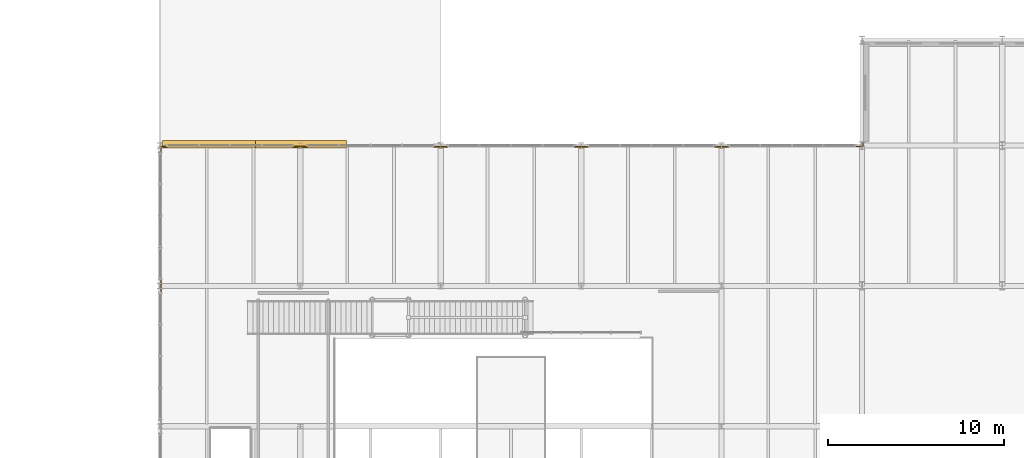
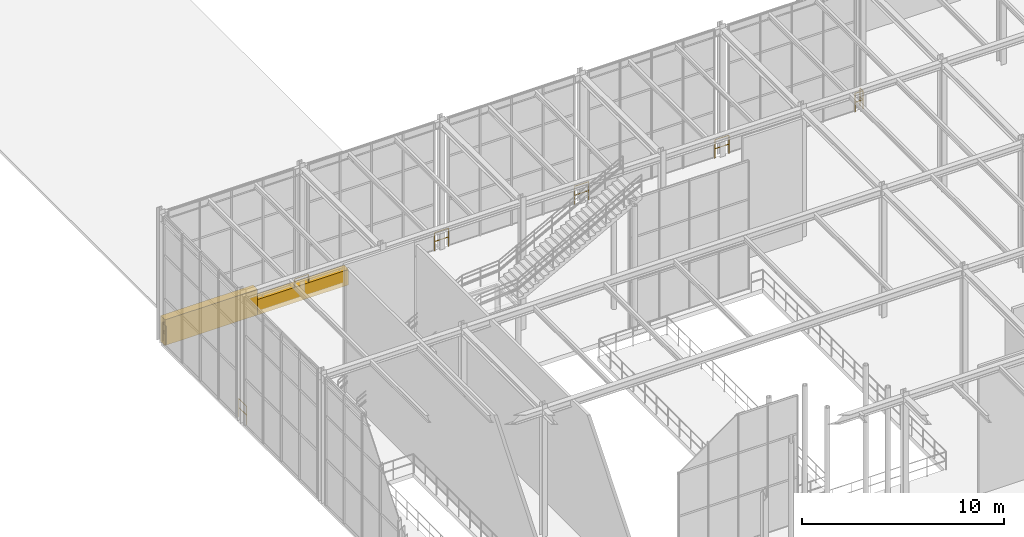
# One storey, part 129 of 138: 7 railings, 2 coverings.
"""IFC4 building model written with IfcOpenShell, lengths in metres."""

from ifc_helpers import new_model, si_unit, direction, frame, origin, origin_2d, place, context, subcontext, project, spatial, rectangle, circle, extrude, material, layer, layer_set, type_object, element, save


model = new_model("IFC4")

# Units and contexts
model_context = context("Model", 3, precision=1e-05, world=origin(), true_north=direction((0.0, 1.0)))
body_context = subcontext(model_context, "Body", "Model", "MODEL_VIEW")
ifc_project = project(units=[si_unit("LENGTHUNIT", "METRE"), si_unit("AREAUNIT", "SQUARE_METRE"), si_unit("VOLUMEUNIT", "CUBIC_METRE"), si_unit("PLANEANGLEUNIT", "RADIAN"), si_unit("MASSUNIT", "GRAM", prefix="KILO")], contexts=[model_context])

# Site, building, storey
site_placement = place(None, origin())
site = spatial("IfcSite", under=ifc_project, at=site_placement, CompositionType="ELEMENT")
building_placement = place(site_placement, origin())
building = spatial("IfcBuilding", under=site, at=building_placement, Name="Sundkrona Museum", CompositionType="ELEMENT")
storey_placement = place(building_placement, frame((0.0, 0.0, 9.60009765625)))
storey = spatial("IfcBuildingStorey", under=building, at=storey_placement, Name="L02", CompositionType="ELEMENT", Elevation=9.60009765625)

# Coverings
ifc_material_1 = material(Name="Standing-Seam Patinated Copper Roofing", Category="other")
ifc_layer = layer(ifc_material_1, 0.044921875)
ifc_layer_set = layer_set([ifc_layer], Name="Standing-Seam Patinated Copper Roofing")
covering_type = type_object("IfcCoveringType", Name="COV-RF-COP", PredefinedType="ROOFING", material=ifc_layer_set)
covering_1_placement = place(storey_placement, frame((82.800048828125, 40.080078125, -0.27001953125), z_axis=(0.0, 0.0, 1.0), x_axis=(1.0, 0.0, 0.0)))
element("IfcCovering", 1, at=covering_1_placement, inside=storey, type_object=covering_type, Name="Public Passage S Gable Cladding 1", PredefinedType="ROOFING", context=body_context, shape_type="SweptSolid", body=[
    extrude(rectangle(XDim=5.280029296875, YDim=0.43994140625, at=origin_2d()), origin(), (0.0, 0.0, 1.0), 1.552001953125),
])
covering_2_placement = place(storey_placement, frame((88.0, 40.080078125, -0.27001953125), z_axis=(0.0, 0.0, 1.0), x_axis=(1.0, 0.0, 0.0)))
element("IfcCovering", 2, at=covering_2_placement, inside=storey, type_object=covering_type, Name="Public Passage S Gable Cladding 2", PredefinedType="ROOFING", context=body_context, shape_type="SweptSolid", body=[
    extrude(rectangle(XDim=5.280029296875, YDim=0.43994140625, at=origin_2d()), origin(), (0.0, 0.0, 1.0), 0.927978515625),
])

# Railings
ifc_material_2 = material(Name="Painted Steel S355J2 and Laminated Glass Balustrade", Category="steel")
railing_type = type_object("IfcRailingType", Name="RL-GUARD-1100", PredefinedType="BALUSTRADE", material=ifc_material_2)
railing_1_placement = place(storey_placement, frame((80.06005859375, 31.60009765625, 0.0)))
element("IfcRailing", 3, at=railing_1_placement, inside=storey, type_object=railing_type, Name="L02 Edge Protection Balustrade 024", PredefinedType="BALUSTRADE", context=body_context, shape_type="SweptSolid", body=[
    extrude(circle(Radius=0.02392578125, at=origin_2d()), frame((0.0, 0.0, 1.09619140625), z_axis=(0.0, 1.0, 0.0), x_axis=(-1.0, 0.0, 0.0)), (0.0, 0.0, 1.0), 0.7998046875),
    extrude(circle(Radius=0.02392578125, at=origin_2d()), frame((0.0, 0.0, 0.56005859375), z_axis=(0.0, 1.0, 0.0), x_axis=(-1.0, 0.0, 0.0)), (0.0, 0.0, 1.0), 0.7998046875),
    extrude(circle(Radius=0.02099609375, at=origin_2d()), origin(), (0.0, 0.0, 1.0), 1.072021484375),
    extrude(circle(Radius=0.02099609375, at=origin_2d()), frame((0.0, 0.7998046875, 0.0)), (0.0, 0.0, 1.0), 1.072021484375),
])
railing_2_placement = place(storey_placement, frame((80.06005859375, 39.60009765625, 0.0)))
element("IfcRailing", 4, at=railing_2_placement, inside=storey, type_object=railing_type, Name="L02 Edge Protection Balustrade 025", PredefinedType="BALUSTRADE", context=body_context, shape_type="SweptSolid", body=[
    extrude(circle(Radius=0.02392578125, at=origin_2d()), frame((0.0, 0.0, 1.09619140625), z_axis=(0.0, 1.0, 0.0), x_axis=(-1.0, 0.0, 0.0)), (0.0, 0.0, 1.0), 0.33984375),
    extrude(circle(Radius=0.02392578125, at=origin_2d()), frame((0.0, 0.0, 0.56005859375), z_axis=(0.0, 1.0, 0.0), x_axis=(-1.0, 0.0, 0.0)), (0.0, 0.0, 1.0), 0.33984375),
    extrude(circle(Radius=0.02392578125, at=origin_2d()), frame((0.0, 0.33984375, 1.09619140625), z_axis=(1.0, 0.0, 0.0), x_axis=(0.0, 1.0, 0.0)), (0.0, 0.0, 1.0), 0.33984375),
    extrude(circle(Radius=0.02392578125, at=origin_2d()), frame((0.0, 0.33984375, 0.56005859375), z_axis=(1.0, 0.0, 0.0), x_axis=(0.0, 1.0, 0.0)), (0.0, 0.0, 1.0), 0.33984375),
    extrude(circle(Radius=0.02099609375, at=origin_2d()), origin(), (0.0, 0.0, 1.0), 1.072021484375),
    extrude(circle(Radius=0.02099609375, at=origin_2d()), frame((0.0, 0.33984375, 0.0)), (0.0, 0.0, 1.0), 1.072021484375),
    extrude(circle(Radius=0.02099609375, at=origin_2d()), frame((0.33984375, 0.33984375, 0.0)), (0.0, 0.0, 1.0), 1.072021484375),
])
for number, where, name in (
    (5, (87.60009765625, 39.93994140625, 0.0), "L02 Edge Protection Balustrade 028"),
    (6, (95.60009765625, 39.93994140625, 0.0), "L02 Edge Protection Balustrade 031"),
    (7, (103.60009765625, 39.93994140625, 0.0), "L02 Edge Protection Balustrade 035"),
    (8, (111.60009765625, 39.93994140625, 0.0), "L02 Edge Protection Balustrade 037"),
):
    element("IfcRailing", number, at=place(storey_placement, frame(where)), inside=storey, type_object=railing_type, Name=name, PredefinedType="BALUSTRADE", context=body_context, shape_type="SweptSolid", body=[
        extrude(circle(Radius=0.02392578125, at=origin_2d()), frame((0.0, 0.0, 1.09619140625), z_axis=(1.0, 0.0, 0.0), x_axis=(0.0, 1.0, 0.0)), (0.0, 0.0, 1.0), 0.7998046875),
        extrude(circle(Radius=0.02392578125, at=origin_2d()), frame((0.0, 0.0, 0.56005859375), z_axis=(1.0, 0.0, 0.0), x_axis=(0.0, 1.0, 0.0)), (0.0, 0.0, 1.0), 0.7998046875),
        extrude(circle(Radius=0.02099609375, at=origin_2d()), origin(), (0.0, 0.0, 1.0), 1.072021484375),
        extrude(circle(Radius=0.02099609375, at=origin_2d()), frame((0.7998046875, 0.0, 0.0)), (0.0, 0.0, 1.0), 1.072021484375),
    ])
railing_3_placement = place(storey_placement, frame((119.60009765625, 39.93994140625, 0.0)))
element("IfcRailing", 9, at=railing_3_placement, inside=storey, type_object=railing_type, Name="L02 Edge Protection Balustrade 041", PredefinedType="BALUSTRADE", context=body_context, shape_type="SweptSolid", body=[
    extrude(circle(Radius=0.02392578125, at=origin_2d()), frame((0.0, 0.0, 1.09619140625), z_axis=(1.0, 0.0, 0.0), x_axis=(0.0, 1.0, 0.0)), (0.0, 0.0, 1.0), 0.4599609375),
    extrude(circle(Radius=0.02392578125, at=origin_2d()), frame((0.0, 0.0, 0.56005859375), z_axis=(1.0, 0.0, 0.0), x_axis=(0.0, 1.0, 0.0)), (0.0, 0.0, 1.0), 0.4599609375),
    extrude(circle(Radius=0.02392578125, at=origin_2d()), frame((0.4599609375, 0.0, 1.09619140625), z_axis=(0.0, 1.0, 0.0), x_axis=(-1.0, 0.0, 0.0)), (0.0, 0.0, 1.0), 0.287109375),
    extrude(circle(Radius=0.02392578125, at=origin_2d()), frame((0.4599609375, 0.0, 0.56005859375), z_axis=(0.0, 1.0, 0.0), x_axis=(-1.0, 0.0, 0.0)), (0.0, 0.0, 1.0), 0.287109375),
    extrude(circle(Radius=0.02099609375, at=origin_2d()), origin(), (0.0, 0.0, 1.0), 1.072021484375),
    extrude(circle(Radius=0.02099609375, at=origin_2d()), frame((0.4599609375, 0.0, 0.0)), (0.0, 0.0, 1.0), 1.072021484375),
    extrude(circle(Radius=0.02099609375, at=origin_2d()), frame((0.4599609375, 0.287109375, 0.0)), (0.0, 0.0, 1.0), 1.072021484375),
])

save(model, "model.ifc")
